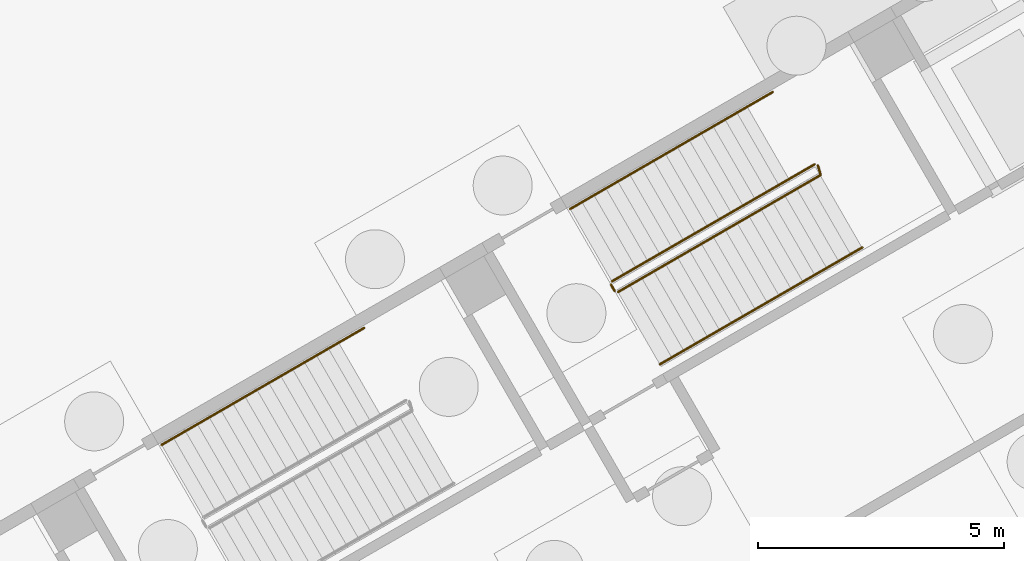
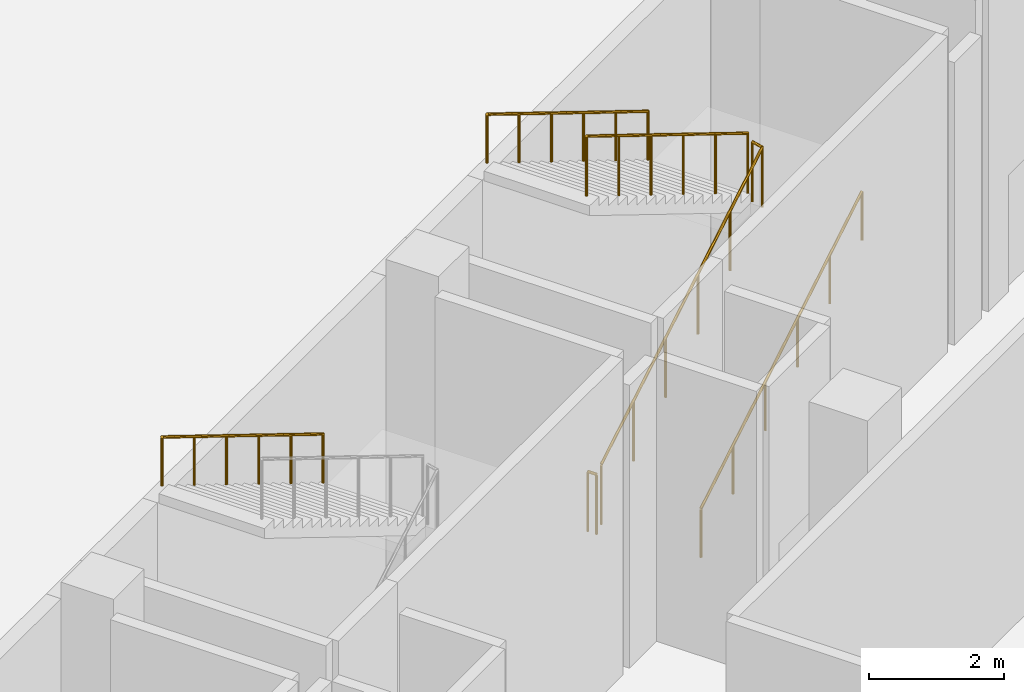
# One storey, part 37 of 38: 6 railings.
"""IFC4 building model written with IfcOpenShell, lengths in metres."""

from ifc_helpers import new_model, si_unit, direction, frame, origin, origin_2d, place, context, subcontext, project, spatial, circle, extrude, material, type_object, element, save


model = new_model("IFC4")

# Units and contexts
model_context = context("Model", 3, precision=1e-05, world=origin(), true_north=direction((0.0, 1.0)))
body_context = subcontext(model_context, "Body", "Model", "MODEL_VIEW")
ifc_project = project(units=[si_unit("LENGTHUNIT", "METRE"), si_unit("AREAUNIT", "SQUARE_METRE"), si_unit("VOLUMEUNIT", "CUBIC_METRE"), si_unit("PLANEANGLEUNIT", "RADIAN"), si_unit("MASSUNIT", "GRAM", prefix="KILO")], contexts=[model_context])

# Site, building, storey
site_placement = place(None, origin())
site = spatial("IfcSite", under=ifc_project, at=site_placement, CompositionType="ELEMENT")
building_placement = place(site_placement, origin())
building = spatial("IfcBuilding", under=site, at=building_placement, Name="Mestral Congress Tower", CompositionType="ELEMENT")
storey_placement = place(building_placement, origin())
storey = spatial("IfcBuildingStorey", under=building, at=storey_placement, Name="L00", CompositionType="ELEMENT", Elevation=0.0)

# Railings
ifc_material_1 = material(Name="Steel balustrade", Category="steel")
railing_type_1 = type_object("IfcRailingType", Name="Podium stair guard 1100", PredefinedType="GUARDRAIL", material=ifc_material_1)
railing_1_placement = place(storey_placement, frame((30.642578125, 61.281494140625, 0.166748046875)))
element("IfcRailing", 1, at=railing_1_placement, inside=storey, type_object=railing_type_1, Name="L00 PS-E6 stair guard 1", PredefinedType="GUARDRAIL", context=body_context, shape_type="SweptSolid", body=[
    extrude(circle(Radius=0.02392578125, at=origin_2d()), frame((0.0, 0.0, 1.076171875), z_axis=(0.744184523948, 0.429630485013, 0.51147535685), x_axis=(-0.499978485002, 0.866037825118, 0.0)), (0.0, 0.0, 1.0), 5.539306640625),
    extrude(circle(Radius=0.02392578125, at=origin_2d()), frame((4.122314453125, 2.3798828125, 3.9091796875), z_axis=(-0.275815366736, 0.96121063429, 0.0), x_axis=(-0.96121063429, -0.275815366736, 0.0)), (0.0, 0.0, 1.0), 0.206298828125),
    extrude(circle(Radius=0.02099609375, at=origin_2d()), origin(), (0.0, 0.0, 1.0), 1.052001953125),
    extrude(circle(Radius=0.02099609375, at=origin_2d()), frame((0.824462890625, 0.47607421875, 0.566650390625)), (0.0, 0.0, 1.0), 1.052001953125),
    extrude(circle(Radius=0.02099609375, at=origin_2d()), frame((1.64892578125, 0.951904296875, 1.13330078125)), (0.0, 0.0, 1.0), 1.052001953125),
    extrude(circle(Radius=0.02099609375, at=origin_2d()), frame((2.473388671875, 1.427978515625, 1.699951171875)), (0.0, 0.0, 1.0), 1.052001953125),
    extrude(circle(Radius=0.02099609375, at=origin_2d()), frame((3.2978515625, 1.90380859375, 2.2666015625)), (0.0, 0.0, 1.0), 1.052001953125),
    extrude(circle(Radius=0.02099609375, at=origin_2d()), frame((4.122314453125, 2.3798828125, 2.833251953125)), (0.0, 0.0, 1.0), 1.052001953125),
    extrude(circle(Radius=0.02099609375, at=origin_2d()), frame((4.0654296875, 2.578125, 2.833251953125)), (0.0, 0.0, 1.0), 1.052001953125),
])
railing_2_placement = place(storey_placement, frame((34.639892578125, 63.8779296875, 3.166748046875)))
element("IfcRailing", 2, at=railing_2_placement, inside=storey, type_object=railing_type_1, Name="L00 PS-E6 stair guard 2", PredefinedType="GUARDRAIL", context=body_context, shape_type="SweptSolid", body=[
    extrude(circle(Radius=0.02392578125, at=origin_2d()), frame((0.0, 0.0, 1.076171875), z_axis=(-0.744184523948, -0.429630485013, 0.51147535685), x_axis=(0.499978485002, -0.866037825118, 0.0)), (0.0, 0.0, 1.0), 5.539306640625),
    extrude(circle(Radius=0.02099609375, at=origin_2d()), origin(), (0.0, 0.0, 1.0), 1.052001953125),
    extrude(circle(Radius=0.02099609375, at=origin_2d()), frame((-0.824462890625, -0.47607421875, 0.566650390625)), (0.0, 0.0, 1.0), 1.052001953125),
    extrude(circle(Radius=0.02099609375, at=origin_2d()), frame((-1.64892578125, -0.951904296875, 1.13330078125)), (0.0, 0.0, 1.0), 1.052001953125),
    extrude(circle(Radius=0.02099609375, at=origin_2d()), frame((-2.473388671875, -1.427978515625, 1.699951171875)), (0.0, 0.0, 1.0), 1.052001953125),
    extrude(circle(Radius=0.02099609375, at=origin_2d()), frame((-3.2978515625, -1.90380859375, 2.2666015625)), (0.0, 0.0, 1.0), 1.052001953125),
    extrude(circle(Radius=0.02099609375, at=origin_2d()), frame((-4.122314453125, -2.3798828125, 2.833251953125)), (0.0, 0.0, 1.0), 1.052001953125),
])
railing_3_placement = place(storey_placement, frame((30.57421875, 61.2998046875, 0.0)))
element("IfcRailing", 3, at=railing_3_placement, inside=storey, type_object=railing_type_1, Name="L00 PS-E6 stair guard 3", PredefinedType="GUARDRAIL", context=body_context, shape_type="SweptSolid", body=[
    extrude(circle(Radius=0.02392578125, at=origin_2d()), frame((0.0, 0.0, 1.076171875), z_axis=(-0.499816412211, 0.866131372301, 0.0), x_axis=(-0.866131372301, -0.499816412211, 0.0)), (0.0, 0.0, 1.0), 0.14990234375),
    extrude(circle(Radius=0.02099609375, at=origin_2d()), origin(), (0.0, 0.0, 1.0), 1.052001953125),
    extrude(circle(Radius=0.02099609375, at=origin_2d()), frame((-0.074951171875, 0.1298828125, 0.0)), (0.0, 0.0, 1.0), 1.052001953125),
])
ifc_material_2 = material(Name="Steel handrail", Category="steel")
railing_type_2 = type_object("IfcRailingType", Name="Podium stair handrail 900", PredefinedType="HANDRAIL", material=ifc_material_2)
railing_4_placement = place(storey_placement, frame((25.47607421875, 60.55029296875, 3.166748046875)))
element("IfcRailing", 4, at=railing_4_placement, inside=storey, type_object=railing_type_2, Name="L00 PS-E5 stair handrail 2", PredefinedType="HANDRAIL", context=body_context, shape_type="SweptSolid", body=[
    extrude(circle(Radius=0.02392578125, at=origin_2d()), frame((0.0, 0.0, 0.8759765625), z_axis=(-0.744170432188, -0.42966642247, 0.511465671634), x_axis=(0.5000169524, -0.866015616091, 0.0)), (0.0, 0.0, 1.0), 5.53955078125),
    extrude(circle(Radius=0.02099609375, at=origin_2d()), origin(), (0.0, 0.0, 1.0), 0.851806640625),
    extrude(circle(Radius=0.02099609375, at=origin_2d()), frame((-0.824462890625, -0.47607421875, 0.566650390625)), (0.0, 0.0, 1.0), 0.851806640625),
    extrude(circle(Radius=0.02099609375, at=origin_2d()), frame((-1.64892578125, -0.9521484375, 1.13330078125)), (0.0, 0.0, 1.0), 0.851806640625),
    extrude(circle(Radius=0.02099609375, at=origin_2d()), frame((-2.473388671875, -1.427978515625, 1.699951171875)), (0.0, 0.0, 1.0), 0.851806640625),
    extrude(circle(Radius=0.02099609375, at=origin_2d()), frame((-3.2978515625, -1.904052734375, 2.2666015625)), (0.0, 0.0, 1.0), 0.851806640625),
    extrude(circle(Radius=0.02099609375, at=origin_2d()), frame((-4.122314453125, -2.380126953125, 2.833251953125)), (0.0, 0.0, 1.0), 0.851806640625),
])
railing_5_placement = place(storey_placement, frame((31.492431640625, 59.80908203125, 0.166748046875)))
element("IfcRailing", 5, at=railing_5_placement, inside=storey, type_object=railing_type_2, Name="L00 PS-E6 stair handrail 1", PredefinedType="HANDRAIL", context=body_context, shape_type="SweptSolid", body=[
    extrude(circle(Radius=0.02392578125, at=origin_2d()), frame((0.0, 0.0, 0.8759765625), z_axis=(0.744170432188, 0.42966642247, 0.511465671634), x_axis=(-0.5000169524, 0.866015616091, 0.0)), (0.0, 0.0, 1.0), 5.53955078125),
    extrude(circle(Radius=0.02099609375, at=origin_2d()), origin(), (0.0, 0.0, 1.0), 0.851806640625),
    extrude(circle(Radius=0.02099609375, at=origin_2d()), frame((0.824462890625, 0.47607421875, 0.566650390625)), (0.0, 0.0, 1.0), 0.851806640625),
    extrude(circle(Radius=0.02099609375, at=origin_2d()), frame((1.64892578125, 0.9521484375, 1.13330078125)), (0.0, 0.0, 1.0), 0.851806640625),
    extrude(circle(Radius=0.02099609375, at=origin_2d()), frame((2.473388671875, 1.427978515625, 1.699951171875)), (0.0, 0.0, 1.0), 0.851806640625),
    extrude(circle(Radius=0.02099609375, at=origin_2d()), frame((3.2978515625, 1.904052734375, 2.2666015625)), (0.0, 0.0, 1.0), 0.851806640625),
    extrude(circle(Radius=0.02099609375, at=origin_2d()), frame((4.122314453125, 2.380126953125, 2.833251953125)), (0.0, 0.0, 1.0), 0.851806640625),
])
railing_6_placement = place(storey_placement, frame((33.789794921875, 65.35009765625, 3.166748046875)))
element("IfcRailing", 6, at=railing_6_placement, inside=storey, type_object=railing_type_2, Name="L00 PS-E6 stair handrail 2", PredefinedType="HANDRAIL", context=body_context, shape_type="SweptSolid", body=[
    extrude(circle(Radius=0.02392578125, at=origin_2d()), frame((0.0, 0.0, 0.8759765625), z_axis=(-0.744184523948, -0.429630485013, 0.51147535685), x_axis=(0.499978485002, -0.866037825118, 0.0)), (0.0, 0.0, 1.0), 5.539306640625),
    extrude(circle(Radius=0.02099609375, at=origin_2d()), origin(), (0.0, 0.0, 1.0), 0.851806640625),
    extrude(circle(Radius=0.02099609375, at=origin_2d()), frame((-0.824462890625, -0.47607421875, 0.566650390625)), (0.0, 0.0, 1.0), 0.851806640625),
    extrude(circle(Radius=0.02099609375, at=origin_2d()), frame((-1.64892578125, -0.951904296875, 1.13330078125)), (0.0, 0.0, 1.0), 0.851806640625),
    extrude(circle(Radius=0.02099609375, at=origin_2d()), frame((-2.473388671875, -1.427978515625, 1.699951171875)), (0.0, 0.0, 1.0), 0.851806640625),
    extrude(circle(Radius=0.02099609375, at=origin_2d()), frame((-3.2978515625, -1.90380859375, 2.2666015625)), (0.0, 0.0, 1.0), 0.851806640625),
    extrude(circle(Radius=0.02099609375, at=origin_2d()), frame((-4.122314453125, -2.3798828125, 2.833251953125)), (0.0, 0.0, 1.0), 0.851806640625),
])

save(model, "model.ifc")
